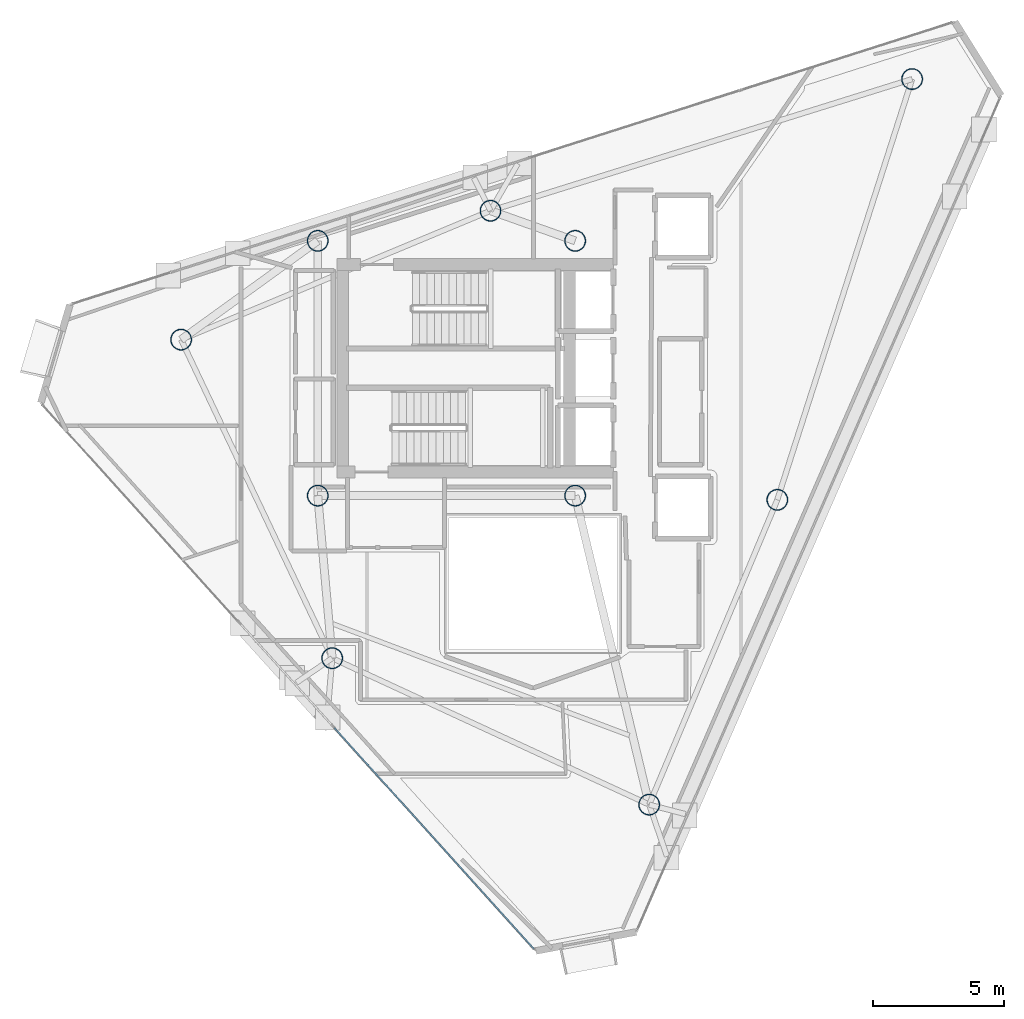
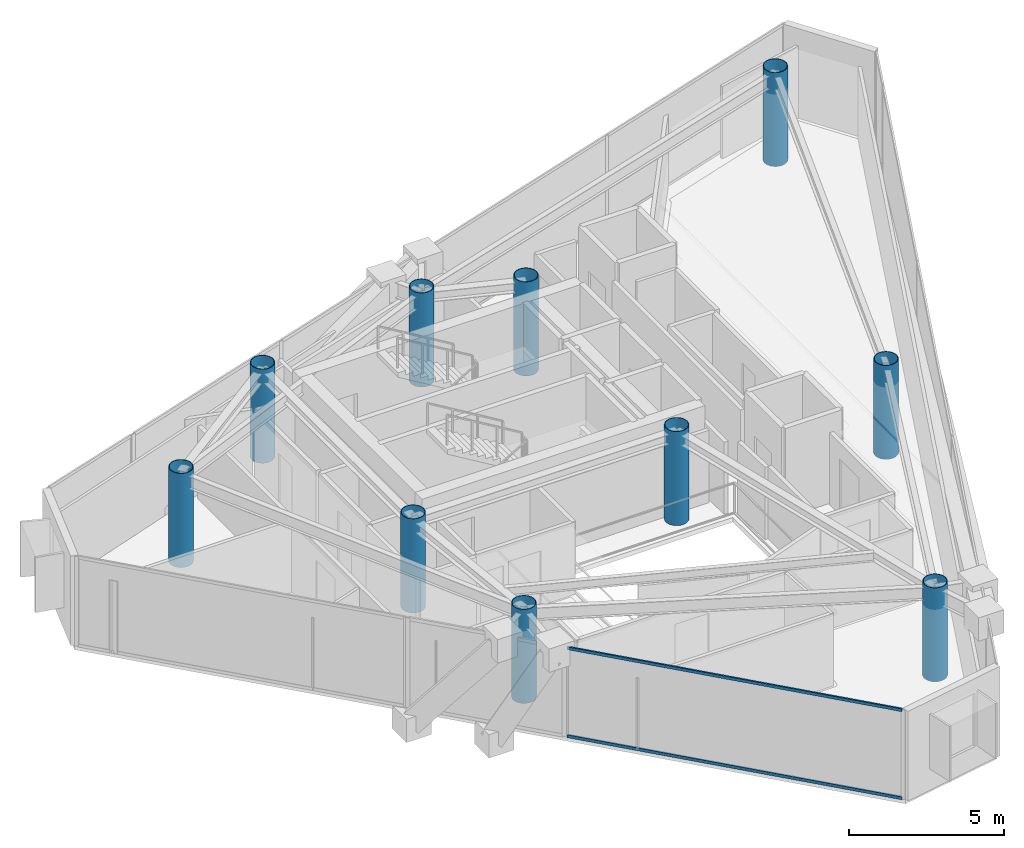
# One storey, part 1 of 19: 10 columns, 2 members, 1 element without a shape of its own.
"""IFC4 building model written with IfcOpenShell, lengths in metres."""

from ifc_helpers import new_model, si_unit, direction, frame, origin, origin_2d, place, context, subcontext, project, spatial, hollow_rectangle, hollow_circle, extrude, material, layer, layer_set, material_profile, profile_set, type_object, element, aggregate, save


model = new_model("IFC4")

# Units and contexts
model_context = context("Model", 3, precision=1e-05, world=origin(), true_north=direction((0.0, 1.0)))
body_context = subcontext(model_context, "Body", "Model", "MODEL_VIEW")
ifc_project = project(units=[si_unit("LENGTHUNIT", "METRE"), si_unit("AREAUNIT", "SQUARE_METRE"), si_unit("VOLUMEUNIT", "CUBIC_METRE"), si_unit("PLANEANGLEUNIT", "RADIAN"), si_unit("MASSUNIT", "GRAM", prefix="KILO")], contexts=[model_context])

# Site, building, storey
site_placement = place(None, origin())
site = spatial("IfcSite", under=ifc_project, at=site_placement, CompositionType="ELEMENT")
building_placement = place(site_placement, origin())
building = spatial("IfcBuilding", under=site, at=building_placement, Name="Qianvela Tower", CompositionType="ELEMENT")
storey_placement = place(building_placement, frame((0.0, 0.0, 329.60009765625)))
storey = spatial("IfcBuildingStorey", under=building, at=storey_placement, Name="L85", CompositionType="ELEMENT", Elevation=329.60009765625)

# Columns
ifc_material_1 = material(Name="Steel Q420GJC", Category="steel")
ifc_material_profile_1 = material_profile(ifc_material_1, hollow_circle(Radius=0.39990234375, WallThickness=0.02197265625, at=origin_2d()), Name="CFT-800x22")
ifc_profile_set_1 = profile_set([ifc_material_profile_1], Name="Steel Q420GJC")
column_type = type_object("IfcColumnType", Name="COL-CFT-800x22", PredefinedType="COLUMN", material=ifc_profile_set_1)
for number, where, z_axis, x_axis, name in (
    (1, (28.60009765625, 33.550048828125, 0.0), (0.0, 0.0, 1.0), (1.0, 0.0, 0.0), "L85 Core Corner Mega-Column CC-NW"),
    (2, (28.60009765625, 23.85009765625, 0.0), (0.0, 0.0, 1.0), (1.0, 0.0, 0.0), "L85 Core Corner Mega-Column CC-SW"),
    (3, (38.39990234375, 33.550048828125, 0.0), (0.0, 0.0, 1.0), (1.0, 0.0, 0.0), "L85 Core Corner Mega-Column CC-NE"),
    (4, (38.39990234375, 23.85009765625, 0.0), (0.0, 0.0, 1.0), (1.0, 0.0, 0.0), "L85 Core Corner Mega-Column CC-SE"),
    (5, (51.22705078125, 39.7080078125, 0.0), (0.0, 0.0, 1.0), (1.0, 0.0, 0.0), "L85 Zone Z8 CFT Mega-Column C1"),
    (6, (35.177001953125, 34.695068359375, 0.0), (0.0, 0.0, 1.0), (1.0, 0.0, 0.0), "L85 Zone Z8 CFT Mega-Column C2"),
    (7, (23.39990234375, 29.7890625, 0.0), (0.0, 0.0, 1.0), (1.0, 0.0, 0.0), "L85 Zone Z8 CFT Mega-Column C3"),
    (8, (29.14990234375, 17.662109375, 0.0), (0.0, 0.0, 1.0), (1.0, 0.0, 0.0), "L85 Zone Z8 CFT Mega-Column C4"),
    (9, (41.217041015625, 12.087890625, 0.0), (0.0, 0.0, 1.0), (1.0, 0.0, 0.0), "L85 Zone Z8 CFT Mega-Column C5"),
    (10, (46.094970703125, 23.69091796875, 0.0), (0.0, 0.0, 1.0), (1.0, 0.0, 0.0), "L85 Zone Z8 CFT Mega-Column C6"),
):
    element("IfcColumn", number, at=place(storey_placement, frame(where, z_axis=z_axis, x_axis=x_axis)), inside=storey, type_object=column_type, Name=name, PredefinedType="COLUMN", context=body_context, shape_type="SweptSolid", body=[
        extrude(hollow_circle(Radius=0.39990234375, WallThickness=0.02197265625, at=origin_2d()), origin(), (0.0, 0.0, 1.0), 3.699951171875),
    ])

# Curtain wall, members
ifc_material_2 = material(Name="Anodised Architectural Aluminium and Low-E Glass", Category="aluminium")
ifc_layer = layer(ifc_material_2, 0.14990234375)
ifc_layer_set = layer_set([ifc_layer], Name="Anodised Architectural Aluminium and Low-E Glass")
curtain_wall_type = type_object("IfcCurtainWallType", Name="CW-COLIV-Z78", PredefinedType="USERDEFINED", material=ifc_layer_set)
curtain_wall_placement = place(storey_placement, origin())
curtain_wall = element("IfcCurtainWall", 11, at=curtain_wall_placement, inside=storey, type_object=curtain_wall_type, Name="L85 CW-COLIV-Z78 Curtain Wall 04C", ObjectType="CURTAIN_WALL_SYSTEM", PredefinedType="USERDEFINED")
ifc_material_3 = material(Name="Anodised Architectural Aluminium 6063-T6", Category="aluminium")
ifc_material_profile_2 = material_profile(ifc_material_3, hollow_rectangle(XDim=0.06005859375, YDim=0.114990234375, WallThickness=0.00390625, at=origin_2d()), Name="ALU-TRAN-60x115")
ifc_profile_set_2 = profile_set([ifc_material_profile_2], Name="Anodised Architectural Aluminium 6063-T6")
member_type = type_object("IfcMemberType", Name="CW-COLIV-Z78-TRAN", PredefinedType="USERDEFINED", material=ifc_profile_set_2)
member_1_placement = place(storey_placement, frame((29.235107421875, 15.0087890625, 0.02978515625), z_axis=(0.670155352351, -0.742220859122, 0.0), x_axis=(0.742220859122, 0.670155352351, 0.0)))
member_1 = element("IfcMember", 12, at=member_1_placement, type_object=member_type, Name="CW-6 transom 1.1", ObjectType="TRANSOM", PredefinedType="USERDEFINED", context=body_context, shape_type="SweptSolid", body=[
    extrude(hollow_rectangle(XDim=0.06005859375, YDim=0.114990234375, WallThickness=0.00390625, at=origin_2d()), origin(), (0.0, 0.0, 1.0), 11.33203125),
])
member_2_placement = place(storey_placement, frame((29.235107421875, 15.0087890625, 3.489990234375), z_axis=(0.670155352351, -0.742220859122, 0.0), x_axis=(0.742220859122, 0.670155352351, 0.0)))
member_2 = element("IfcMember", 13, at=member_2_placement, type_object=member_type, Name="CW-6 transom 1.2", ObjectType="TRANSOM", PredefinedType="USERDEFINED", context=body_context, shape_type="SweptSolid", body=[
    extrude(hollow_rectangle(XDim=0.06005859375, YDim=0.114990234375, WallThickness=0.00390625, at=origin_2d()), origin(), (0.0, 0.0, 1.0), 11.33203125),
])
aggregate(curtain_wall, [member_1, member_2])

save(model, "model.ifc")
